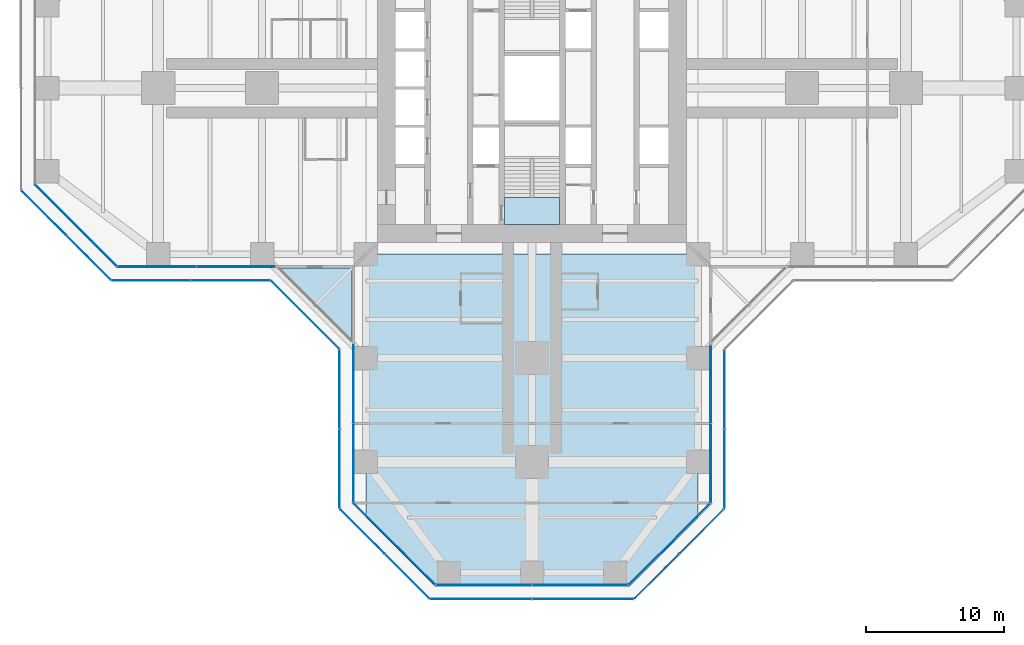
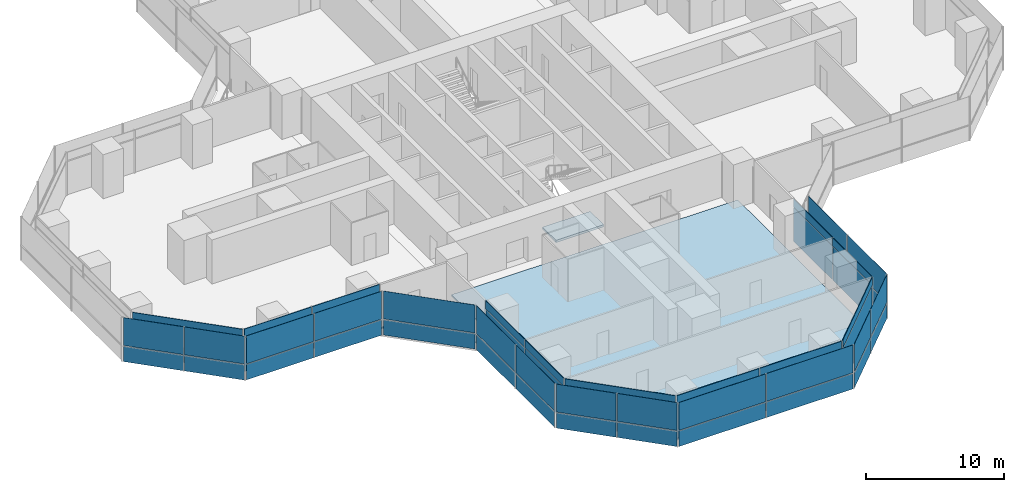
# One storey, part 14 of 22: 52 plates, 3 slabs, 16 elements without a shape of their own.
"""IFC4 building model written with IfcOpenShell, lengths in metres."""

from ifc_helpers import new_model, si_unit, direction, frame, origin, origin_2d, place, context, subcontext, project, spatial, polyline, rectangle, outline, extrude, material, layer, layer_set, type_object, element, aggregate, save


model = new_model("IFC4")

# Units and contexts
model_context = context("Model", 3, precision=1e-05, world=origin(), true_north=direction((0.0, 1.0)))
body_context = subcontext(model_context, "Body", "Model", "MODEL_VIEW")
ifc_project = project(units=[si_unit("LENGTHUNIT", "METRE"), si_unit("AREAUNIT", "SQUARE_METRE"), si_unit("VOLUMEUNIT", "CUBIC_METRE"), si_unit("PLANEANGLEUNIT", "RADIAN"), si_unit("MASSUNIT", "GRAM", prefix="KILO")], contexts=[model_context])

# Site, building, storey
site_placement = place(None, origin())
site = spatial("IfcSite", under=ifc_project, at=site_placement, CompositionType="ELEMENT")
building_placement = place(site_placement, origin())
building = spatial("IfcBuilding", under=site, at=building_placement, Name="Mizan Broadcast Tower", CompositionType="ELEMENT")
storey_placement = place(building_placement, frame((0.0, 0.0, 94.199951171875)))
storey = spatial("IfcBuildingStorey", under=building, at=storey_placement, Name="L20", CompositionType="ELEMENT", Elevation=94.199951171875)

# Slab
ifc_material_1 = material(Name="Concrete C32/40", Category="concrete")
ifc_layer_1 = layer(ifc_material_1, 0.1298828125)
ifc_layer_set_1 = layer_set([ifc_layer_1], Name="Concrete C32/40")
slab_type_1 = type_object("IfcSlabType", Name="COMPOSITE DECK SLAB 130", PredefinedType="FLOOR", material=ifc_layer_set_1)
slab_1_placement = place(storey_placement, frame((0.0, 0.0, -0.1298828125)))
element("IfcSlab", 1, at=slab_1_placement, inside=storey, type_object=slab_type_1, Name="Floor slab L20 south arm", PredefinedType="FLOOR", context=body_context, shape_type="SweptSolid", body=[
    extrude(outline(polyline([(7.0, -36.0), (12.0, -31.0), (12.0, -12.0), (-12.0, -12.0), (-12.0, -31.0), (-7.0, -36.0), (7.0, -36.0)])), origin(), (0.0, 0.0, 1.0), 0.1298828125),
])

# Curtain wall, plate
ifc_material_2 = material(Name="Aluminium framed glazing", Category="aluminium")
curtain_wall_type_1 = type_object("IfcCurtainWallType", Name="INNER SKIN LOW ZONE", PredefinedType="USERDEFINED", material=ifc_material_2)
curtain_wall_1_placement = place(storey_placement, origin())
curtain_wall_1 = element("IfcCurtainWall", 2, at=curtain_wall_1_placement, inside=storey, type_object=curtain_wall_type_1, Name="Inner skin low zone L20 W chamfer", ObjectType="INNER SKIN LOW ZONE", PredefinedType="USERDEFINED")
ifc_material_3 = material(Name="Double glazing, clear low-e", Category="glass")
ifc_layer_2 = layer(ifc_material_3, 0.028076171875)
ifc_layer_set_2 = layer_set([ifc_layer_2], Name="Double glazing, clear low-e")
plate_type_1 = type_object("IfcPlateType", Name="INNER SKIN GLAZING UNIT", PredefinedType="CURTAIN_PANEL", material=ifc_layer_set_2)
plate_1_placement = place(storey_placement, frame((-32.92919921875, -9.92919921875, 0.0), z_axis=(0.0, 0.0, 1.0), x_axis=(0.707106781187, -0.707106781187, 0.0)))
plate_1 = element("IfcPlate", 3, at=plate_1_placement, type_object=plate_type_1, Name="Inner skin low zone L20 W chamfer panel 1.1", PredefinedType="CURTAIN_PANEL", context=body_context, shape_type="SweptSolid", body=[
    extrude(rectangle(XDim=8.282470703125, YDim=0.028076171875, at=origin_2d()), origin(), (0.0, 0.0, 1.0), 3.0),
])

# Curtain wall, plates
curtain_wall_2_placement = place(storey_placement, origin())
curtain_wall_2 = element("IfcCurtainWall", 4, at=curtain_wall_2_placement, inside=storey, type_object=curtain_wall_type_1, Name="Inner skin low zone L20 W side", ObjectType="INNER SKIN LOW ZONE", PredefinedType="USERDEFINED")
plate_2_placement = place(storey_placement, frame((-27.078857421875, -12.89990234375, 0.0), z_axis=(0.0, 0.0, 1.0), x_axis=(1.0, 0.0, 0.0)))
plate_2 = element("IfcPlate", 5, at=plate_2_placement, type_object=plate_type_1, Name="Inner skin low zone L20 W side panel 1.1", PredefinedType="CURTAIN_PANEL", context=body_context, shape_type="SweptSolid", body=[
    extrude(rectangle(XDim=5.639404296875, YDim=0.028076171875, at=origin_2d()), origin(), (0.0, 0.0, 1.0), 3.0),
])
plate_3_placement = place(storey_placement, frame((-21.379638671875, -12.89990234375, 0.0), z_axis=(0.0, 0.0, 1.0), x_axis=(1.0, 0.0, 0.0)))
plate_3 = element("IfcPlate", 6, at=plate_3_placement, type_object=plate_type_1, Name="Inner skin low zone L20 W side panel 2.1", PredefinedType="CURTAIN_PANEL", context=body_context, shape_type="SweptSolid", body=[
    extrude(rectangle(XDim=5.639404296875, YDim=0.028076171875, at=origin_2d()), origin(), (0.0, 0.0, 1.0), 3.0),
])

curtain_wall_3_placement = place(storey_placement, origin())
curtain_wall_3 = element("IfcCurtainWall", 7, at=curtain_wall_3_placement, inside=storey, type_object=curtain_wall_type_1, Name="Inner skin low zone L20 S side", ObjectType="INNER SKIN LOW ZONE", PredefinedType="USERDEFINED")
plate_4_placement = place(storey_placement, frame((-12.89990234375, -21.379638671875, 0.0), z_axis=(0.0, 0.0, 1.0), x_axis=(0.0, -1.0, 0.0)))
plate_4 = element("IfcPlate", 8, at=plate_4_placement, type_object=plate_type_1, Name="Inner skin low zone L20 S side panel 1.1", PredefinedType="CURTAIN_PANEL", context=body_context, shape_type="SweptSolid", body=[
    extrude(rectangle(XDim=5.639404296875, YDim=0.028076171875, at=origin_2d()), origin(), (0.0, 0.0, 1.0), 3.0),
])
plate_5_placement = place(storey_placement, frame((-12.89990234375, -27.078857421875, 0.0), z_axis=(0.0, 0.0, 1.0), x_axis=(0.0, -1.0, 0.0)))
plate_5 = element("IfcPlate", 9, at=plate_5_placement, type_object=plate_type_1, Name="Inner skin low zone L20 S side panel 2.1", PredefinedType="CURTAIN_PANEL", context=body_context, shape_type="SweptSolid", body=[
    extrude(rectangle(XDim=5.639404296875, YDim=0.028076171875, at=origin_2d()), origin(), (0.0, 0.0, 1.0), 3.0),
])

# Curtain wall, plate
curtain_wall_4_placement = place(storey_placement, origin())
curtain_wall_4 = element("IfcCurtainWall", 10, at=curtain_wall_4_placement, inside=storey, type_object=curtain_wall_type_1, Name="Inner skin low zone L20 S chamfer", ObjectType="INNER SKIN LOW ZONE", PredefinedType="USERDEFINED")
plate_6_placement = place(storey_placement, frame((-9.92919921875, -32.92919921875, 0.0), z_axis=(0.0, 0.0, 1.0), x_axis=(0.707106781187, -0.707106781187, 0.0)))
plate_6 = element("IfcPlate", 11, at=plate_6_placement, type_object=plate_type_1, Name="Inner skin low zone L20 S chamfer panel 1.1", PredefinedType="CURTAIN_PANEL", context=body_context, shape_type="SweptSolid", body=[
    extrude(rectangle(XDim=8.282470703125, YDim=0.028076171875, at=origin_2d()), origin(), (0.0, 0.0, 1.0), 3.0),
])

# Curtain wall, plates
curtain_wall_5_placement = place(storey_placement, origin())
curtain_wall_5 = element("IfcCurtainWall", 12, at=curtain_wall_5_placement, inside=storey, type_object=curtain_wall_type_1, Name="Inner skin low zone L20 S end", ObjectType="INNER SKIN LOW ZONE", PredefinedType="USERDEFINED")
plate_7_placement = place(storey_placement, frame((-3.46435546875, -35.89990234375, 0.0), z_axis=(0.0, 0.0, 1.0), x_axis=(1.0, 0.0, 0.0)))
plate_7 = element("IfcPlate", 13, at=plate_7_placement, type_object=plate_type_1, Name="Inner skin low zone L20 S end panel 1.1", PredefinedType="CURTAIN_PANEL", context=body_context, shape_type="SweptSolid", body=[
    extrude(rectangle(XDim=6.86865234375, YDim=0.028076171875, at=origin_2d()), origin(), (0.0, 0.0, 1.0), 3.0),
])
plate_8_placement = place(storey_placement, frame((3.46435546875, -35.89990234375, 0.0), z_axis=(0.0, 0.0, 1.0), x_axis=(1.0, 0.0, 0.0)))
plate_8 = element("IfcPlate", 14, at=plate_8_placement, type_object=plate_type_1, Name="Inner skin low zone L20 S end panel 2.1", PredefinedType="CURTAIN_PANEL", context=body_context, shape_type="SweptSolid", body=[
    extrude(rectangle(XDim=6.86865234375, YDim=0.028076171875, at=origin_2d()), origin(), (0.0, 0.0, 1.0), 3.0),
])

# Curtain wall, plate
curtain_wall_6_placement = place(storey_placement, origin())
curtain_wall_6 = element("IfcCurtainWall", 15, at=curtain_wall_6_placement, inside=storey, type_object=curtain_wall_type_1, Name="Inner skin low zone L20 S chamfer", ObjectType="INNER SKIN LOW ZONE", PredefinedType="USERDEFINED")
plate_9_placement = place(storey_placement, frame((9.92919921875, -32.92919921875, 0.0), z_axis=(0.0, 0.0, 1.0), x_axis=(0.707106781187, 0.707106781187, 0.0)))
plate_9 = element("IfcPlate", 16, at=plate_9_placement, type_object=plate_type_1, Name="Inner skin low zone L20 S chamfer panel 1.1", PredefinedType="CURTAIN_PANEL", context=body_context, shape_type="SweptSolid", body=[
    extrude(rectangle(XDim=8.282470703125, YDim=0.028076171875, at=origin_2d()), origin(), (0.0, 0.0, 1.0), 3.0),
])

# Curtain wall, plates
curtain_wall_7_placement = place(storey_placement, origin())
curtain_wall_7 = element("IfcCurtainWall", 17, at=curtain_wall_7_placement, inside=storey, type_object=curtain_wall_type_1, Name="Inner skin low zone L20 S side", ObjectType="INNER SKIN LOW ZONE", PredefinedType="USERDEFINED")
plate_10_placement = place(storey_placement, frame((12.89990234375, -27.078857421875, 0.0), z_axis=(0.0, 0.0, 1.0), x_axis=(0.0, 1.0, 0.0)))
plate_10 = element("IfcPlate", 18, at=plate_10_placement, type_object=plate_type_1, Name="Inner skin low zone L20 S side panel 1.1", PredefinedType="CURTAIN_PANEL", context=body_context, shape_type="SweptSolid", body=[
    extrude(rectangle(XDim=5.639404296875, YDim=0.028076171875, at=origin_2d()), origin(), (0.0, 0.0, 1.0), 3.0),
])
plate_11_placement = place(storey_placement, frame((12.89990234375, -21.379638671875, 0.0), z_axis=(0.0, 0.0, 1.0), x_axis=(0.0, 1.0, 0.0)))
plate_11 = element("IfcPlate", 19, at=plate_11_placement, type_object=plate_type_1, Name="Inner skin low zone L20 S side panel 2.1", PredefinedType="CURTAIN_PANEL", context=body_context, shape_type="SweptSolid", body=[
    extrude(rectangle(XDim=5.639404296875, YDim=0.028076171875, at=origin_2d()), origin(), (0.0, 0.0, 1.0), 3.0),
])

# Plate
ifc_material_4 = material(Name="Insulated aluminium spandrel panel, pale anodised", Category="aluminium")
ifc_layer_3 = layer(ifc_material_4, 0.050048828125)
ifc_layer_set_3 = layer_set([ifc_layer_3], Name="Insulated aluminium spandrel panel, pale anodised")
plate_type_2 = type_object("IfcPlateType", Name="INNER SKIN SPANDREL PANEL", PredefinedType="CURTAIN_PANEL", material=ifc_layer_set_3)
plate_12_placement = place(storey_placement, frame((-32.92919921875, -9.92919921875, 3.06005859375), z_axis=(0.0, 0.0, 1.0), x_axis=(0.707106781187, -0.707106781187, 0.0)))
plate_12 = element("IfcPlate", 20, at=plate_12_placement, type_object=plate_type_2, Name="Inner skin low zone L20 W chamfer panel 1.2", PredefinedType="CURTAIN_PANEL", context=body_context, shape_type="SweptSolid", body=[
    extrude(rectangle(XDim=8.282470703125, YDim=0.050048828125, at=origin_2d()), origin(), (0.0, 0.0, 1.0), 0.7099609375),
])

aggregate(curtain_wall_1, [plate_1, plate_12])

plate_13_placement = place(storey_placement, frame((-27.078857421875, -12.89990234375, 3.06005859375), z_axis=(0.0, 0.0, 1.0), x_axis=(1.0, 0.0, 0.0)))
plate_13 = element("IfcPlate", 21, at=plate_13_placement, type_object=plate_type_2, Name="Inner skin low zone L20 W side panel 1.2", PredefinedType="CURTAIN_PANEL", context=body_context, shape_type="SweptSolid", body=[
    extrude(rectangle(XDim=5.639404296875, YDim=0.050048828125, at=origin_2d()), origin(), (0.0, 0.0, 1.0), 0.7099609375),
])

plate_14_placement = place(storey_placement, frame((-21.379638671875, -12.89990234375, 3.06005859375), z_axis=(0.0, 0.0, 1.0), x_axis=(1.0, 0.0, 0.0)))
plate_14 = element("IfcPlate", 22, at=plate_14_placement, type_object=plate_type_2, Name="Inner skin low zone L20 W side panel 2.2", PredefinedType="CURTAIN_PANEL", context=body_context, shape_type="SweptSolid", body=[
    extrude(rectangle(XDim=5.639404296875, YDim=0.050048828125, at=origin_2d()), origin(), (0.0, 0.0, 1.0), 0.7099609375),
])

aggregate(curtain_wall_2, [plate_2, plate_13, plate_3, plate_14])

plate_15_placement = place(storey_placement, frame((-12.89990234375, -21.379638671875, 3.06005859375), z_axis=(0.0, 0.0, 1.0), x_axis=(0.0, -1.0, 0.0)))
plate_15 = element("IfcPlate", 23, at=plate_15_placement, type_object=plate_type_2, Name="Inner skin low zone L20 S side panel 1.2", PredefinedType="CURTAIN_PANEL", context=body_context, shape_type="SweptSolid", body=[
    extrude(rectangle(XDim=5.639404296875, YDim=0.050048828125, at=origin_2d()), origin(), (0.0, 0.0, 1.0), 0.7099609375),
])

plate_16_placement = place(storey_placement, frame((-12.89990234375, -27.078857421875, 3.06005859375), z_axis=(0.0, 0.0, 1.0), x_axis=(0.0, -1.0, 0.0)))
plate_16 = element("IfcPlate", 24, at=plate_16_placement, type_object=plate_type_2, Name="Inner skin low zone L20 S side panel 2.2", PredefinedType="CURTAIN_PANEL", context=body_context, shape_type="SweptSolid", body=[
    extrude(rectangle(XDim=5.639404296875, YDim=0.050048828125, at=origin_2d()), origin(), (0.0, 0.0, 1.0), 0.7099609375),
])

aggregate(curtain_wall_3, [plate_4, plate_15, plate_5, plate_16])

plate_17_placement = place(storey_placement, frame((-9.92919921875, -32.92919921875, 3.06005859375), z_axis=(0.0, 0.0, 1.0), x_axis=(0.707106781187, -0.707106781187, 0.0)))
plate_17 = element("IfcPlate", 25, at=plate_17_placement, type_object=plate_type_2, Name="Inner skin low zone L20 S chamfer panel 1.2", PredefinedType="CURTAIN_PANEL", context=body_context, shape_type="SweptSolid", body=[
    extrude(rectangle(XDim=8.282470703125, YDim=0.050048828125, at=origin_2d()), origin(), (0.0, 0.0, 1.0), 0.7099609375),
])

aggregate(curtain_wall_4, [plate_6, plate_17])

plate_18_placement = place(storey_placement, frame((-3.46435546875, -35.89990234375, 3.06005859375), z_axis=(0.0, 0.0, 1.0), x_axis=(1.0, 0.0, 0.0)))
plate_18 = element("IfcPlate", 26, at=plate_18_placement, type_object=plate_type_2, Name="Inner skin low zone L20 S end panel 1.2", PredefinedType="CURTAIN_PANEL", context=body_context, shape_type="SweptSolid", body=[
    extrude(rectangle(XDim=6.86865234375, YDim=0.050048828125, at=origin_2d()), origin(), (0.0, 0.0, 1.0), 0.7099609375),
])

plate_19_placement = place(storey_placement, frame((3.46435546875, -35.89990234375, 3.06005859375), z_axis=(0.0, 0.0, 1.0), x_axis=(1.0, 0.0, 0.0)))
plate_19 = element("IfcPlate", 27, at=plate_19_placement, type_object=plate_type_2, Name="Inner skin low zone L20 S end panel 2.2", PredefinedType="CURTAIN_PANEL", context=body_context, shape_type="SweptSolid", body=[
    extrude(rectangle(XDim=6.86865234375, YDim=0.050048828125, at=origin_2d()), origin(), (0.0, 0.0, 1.0), 0.7099609375),
])

aggregate(curtain_wall_5, [plate_7, plate_18, plate_8, plate_19])

plate_20_placement = place(storey_placement, frame((9.92919921875, -32.92919921875, 3.06005859375), z_axis=(0.0, 0.0, 1.0), x_axis=(0.707106781187, 0.707106781187, 0.0)))
plate_20 = element("IfcPlate", 28, at=plate_20_placement, type_object=plate_type_2, Name="Inner skin low zone L20 S chamfer panel 1.2", PredefinedType="CURTAIN_PANEL", context=body_context, shape_type="SweptSolid", body=[
    extrude(rectangle(XDim=8.282470703125, YDim=0.050048828125, at=origin_2d()), origin(), (0.0, 0.0, 1.0), 0.7099609375),
])

aggregate(curtain_wall_6, [plate_9, plate_20])

plate_21_placement = place(storey_placement, frame((12.89990234375, -27.078857421875, 3.06005859375), z_axis=(0.0, 0.0, 1.0), x_axis=(0.0, 1.0, 0.0)))
plate_21 = element("IfcPlate", 29, at=plate_21_placement, type_object=plate_type_2, Name="Inner skin low zone L20 S side panel 1.2", PredefinedType="CURTAIN_PANEL", context=body_context, shape_type="SweptSolid", body=[
    extrude(rectangle(XDim=5.639404296875, YDim=0.050048828125, at=origin_2d()), origin(), (0.0, 0.0, 1.0), 0.7099609375),
])

plate_22_placement = place(storey_placement, frame((12.89990234375, -21.379638671875, 3.06005859375), z_axis=(0.0, 0.0, 1.0), x_axis=(0.0, 1.0, 0.0)))
plate_22 = element("IfcPlate", 30, at=plate_22_placement, type_object=plate_type_2, Name="Inner skin low zone L20 S side panel 2.2", PredefinedType="CURTAIN_PANEL", context=body_context, shape_type="SweptSolid", body=[
    extrude(rectangle(XDim=5.639404296875, YDim=0.050048828125, at=origin_2d()), origin(), (0.0, 0.0, 1.0), 0.7099609375),
])

aggregate(curtain_wall_7, [plate_10, plate_21, plate_11, plate_22])

# Curtain wall, plates
ifc_material_5 = material(Name="Aluminium framed glazing", Category="aluminium")
curtain_wall_type_2 = type_object("IfcCurtainWallType", Name="OUTER SKIN", PredefinedType="USERDEFINED", material=ifc_material_5)
curtain_wall_8_placement = place(storey_placement, origin())
curtain_wall_8 = element("IfcCurtainWall", 31, at=curtain_wall_8_placement, inside=storey, type_object=curtain_wall_type_2, Name="Outer skin L20 W chamfer", ObjectType="OUTER SKIN", PredefinedType="USERDEFINED")
ifc_material_6 = material(Name="Laminated clear glass", Category="glass")
ifc_layer_4 = layer(ifc_material_6, 0.02001953125)
ifc_layer_set_4 = layer_set([ifc_layer_4], Name="Laminated clear glass")
plate_type_3 = type_object("IfcPlateType", Name="OUTER SKIN CLEAR GLASS", PredefinedType="CURTAIN_PANEL", material=ifc_layer_set_4)
plate_23_placement = place(storey_placement, frame((-35.254150390625, -9.018798828125, 0.0), z_axis=(0.0, 0.0, 1.0), x_axis=(0.707106781187, -0.707106781187, 0.0)))
plate_23 = element("IfcPlate", 32, at=plate_23_placement, type_object=plate_type_3, Name="Outer skin L20 W chamfer panel 1.1", PredefinedType="CURTAIN_PANEL", context=body_context, shape_type="SweptSolid", body=[
    extrude(rectangle(XDim=4.495361328125, YDim=0.02001953125, at=origin_2d()), origin(), (0.0, 0.0, 1.0), 1.3701171875),
])
plate_24_placement = place(storey_placement, frame((-35.254150390625, -9.018798828125, 1.43017578125), z_axis=(0.0, 0.0, 1.0), x_axis=(0.707106781187, -0.707106781187, 0.0)))
plate_24 = element("IfcPlate", 33, at=plate_24_placement, type_object=plate_type_3, Name="Outer skin L20 W chamfer panel 1.2", PredefinedType="CURTAIN_PANEL", context=body_context, shape_type="SweptSolid", body=[
    extrude(rectangle(XDim=4.495361328125, YDim=0.02001953125, at=origin_2d()), origin(), (0.0, 0.0, 1.0), 2.469970703125),
])

curtain_wall_9_placement = place(storey_placement, origin())
curtain_wall_9 = element("IfcCurtainWall", 34, at=curtain_wall_9_placement, inside=storey, type_object=curtain_wall_type_2, Name="Outer skin L20 W side", ObjectType="OUTER SKIN", PredefinedType="USERDEFINED")
plate_25_placement = place(storey_placement, frame((-27.477783203125, -13.89990234375, 0.0), z_axis=(0.0, 0.0, 1.0), x_axis=(1.0, 0.0, 0.0)))
plate_25 = element("IfcPlate", 35, at=plate_25_placement, type_object=plate_type_3, Name="Outer skin L20 W side panel 1.1", PredefinedType="CURTAIN_PANEL", context=body_context, shape_type="SweptSolid", body=[
    extrude(rectangle(XDim=5.6298828125, YDim=0.02001953125, at=origin_2d()), origin(), (0.0, 0.0, 1.0), 1.3701171875),
])
plate_26_placement = place(storey_placement, frame((-27.477783203125, -13.89990234375, 1.43017578125), z_axis=(0.0, 0.0, 1.0), x_axis=(1.0, 0.0, 0.0)))
plate_26 = element("IfcPlate", 36, at=plate_26_placement, type_object=plate_type_3, Name="Outer skin L20 W side panel 1.2", PredefinedType="CURTAIN_PANEL", context=body_context, shape_type="SweptSolid", body=[
    extrude(rectangle(XDim=5.6298828125, YDim=0.02001953125, at=origin_2d()), origin(), (0.0, 0.0, 1.0), 2.469970703125),
])

curtain_wall_10_placement = place(storey_placement, origin())
curtain_wall_10 = element("IfcCurtainWall", 37, at=curtain_wall_10_placement, inside=storey, type_object=curtain_wall_type_2, Name="Outer skin L20 W chamfer", ObjectType="OUTER SKIN", PredefinedType="USERDEFINED")
plate_27_placement = place(storey_placement, frame((-16.386474609375, -16.386474609375, 0.0), z_axis=(0.0, 0.0, 1.0), x_axis=(0.707106781187, -0.707106781187, 0.0)))
plate_27 = element("IfcPlate", 38, at=plate_27_placement, type_object=plate_type_3, Name="Outer skin L20 W chamfer panel 1.1", PredefinedType="CURTAIN_PANEL", context=body_context, shape_type="SweptSolid", body=[
    extrude(rectangle(XDim=6.87255859375, YDim=0.02001953125, at=origin_2d()), origin(), (0.0, 0.0, 1.0), 1.3701171875),
])
plate_28_placement = place(storey_placement, frame((-16.386474609375, -16.386474609375, 1.43017578125), z_axis=(0.0, 0.0, 1.0), x_axis=(0.707106781187, -0.707106781187, 0.0)))
plate_28 = element("IfcPlate", 39, at=plate_28_placement, type_object=plate_type_3, Name="Outer skin L20 W chamfer panel 1.2", PredefinedType="CURTAIN_PANEL", context=body_context, shape_type="SweptSolid", body=[
    extrude(rectangle(XDim=6.87255859375, YDim=0.02001953125, at=origin_2d()), origin(), (0.0, 0.0, 1.0), 2.469970703125),
])
aggregate(curtain_wall_10, [plate_27, plate_28])

curtain_wall_11_placement = place(storey_placement, origin())
curtain_wall_11 = element("IfcCurtainWall", 40, at=curtain_wall_11_placement, inside=storey, type_object=curtain_wall_type_2, Name="Outer skin L20 S side", ObjectType="OUTER SKIN", PredefinedType="USERDEFINED")
plate_29_placement = place(storey_placement, frame((-13.89990234375, -21.767822265625, 0.0), z_axis=(0.0, 0.0, 1.0), x_axis=(0.0, -1.0, 0.0)))
plate_29 = element("IfcPlate", 41, at=plate_29_placement, type_object=plate_type_3, Name="Outer skin L20 S side panel 1.1", PredefinedType="CURTAIN_PANEL", context=body_context, shape_type="SweptSolid", body=[
    extrude(rectangle(XDim=5.6298828125, YDim=0.02001953125, at=origin_2d()), origin(), (0.0, 0.0, 1.0), 1.3701171875),
])
plate_30_placement = place(storey_placement, frame((-13.89990234375, -21.767822265625, 1.43017578125), z_axis=(0.0, 0.0, 1.0), x_axis=(0.0, -1.0, 0.0)))
plate_30 = element("IfcPlate", 42, at=plate_30_placement, type_object=plate_type_3, Name="Outer skin L20 S side panel 1.2", PredefinedType="CURTAIN_PANEL", context=body_context, shape_type="SweptSolid", body=[
    extrude(rectangle(XDim=5.6298828125, YDim=0.02001953125, at=origin_2d()), origin(), (0.0, 0.0, 1.0), 2.469970703125),
])

curtain_wall_12_placement = place(storey_placement, origin())
curtain_wall_12 = element("IfcCurtainWall", 43, at=curtain_wall_12_placement, inside=storey, type_object=curtain_wall_type_2, Name="Outer skin L20 S chamfer", ObjectType="OUTER SKIN", PredefinedType="USERDEFINED")
plate_31_placement = place(storey_placement, frame((-12.254150390625, -32.018798828125, 0.0), z_axis=(0.0, 0.0, 1.0), x_axis=(0.707106781187, -0.707106781187, 0.0)))
plate_31 = element("IfcPlate", 44, at=plate_31_placement, type_object=plate_type_3, Name="Outer skin L20 S chamfer panel 1.1", PredefinedType="CURTAIN_PANEL", context=body_context, shape_type="SweptSolid", body=[
    extrude(rectangle(XDim=4.495361328125, YDim=0.02001953125, at=origin_2d()), origin(), (0.0, 0.0, 1.0), 1.3701171875),
])
plate_32_placement = place(storey_placement, frame((-12.254150390625, -32.018798828125, 1.43017578125), z_axis=(0.0, 0.0, 1.0), x_axis=(0.707106781187, -0.707106781187, 0.0)))
plate_32 = element("IfcPlate", 45, at=plate_32_placement, type_object=plate_type_3, Name="Outer skin L20 S chamfer panel 1.2", PredefinedType="CURTAIN_PANEL", context=body_context, shape_type="SweptSolid", body=[
    extrude(rectangle(XDim=4.495361328125, YDim=0.02001953125, at=origin_2d()), origin(), (0.0, 0.0, 1.0), 2.469970703125),
])

curtain_wall_13_placement = place(storey_placement, origin())
curtain_wall_13 = element("IfcCurtainWall", 46, at=curtain_wall_13_placement, inside=storey, type_object=curtain_wall_type_2, Name="Outer skin L20 S end", ObjectType="OUTER SKIN", PredefinedType="USERDEFINED")
plate_33_placement = place(storey_placement, frame((-3.66650390625, -36.89990234375, 0.0), z_axis=(0.0, 0.0, 1.0), x_axis=(1.0, 0.0, 0.0)))
plate_33 = element("IfcPlate", 47, at=plate_33_placement, type_object=plate_type_3, Name="Outer skin L20 S end panel 1.1", PredefinedType="CURTAIN_PANEL", context=body_context, shape_type="SweptSolid", body=[
    extrude(rectangle(XDim=7.252685546875, YDim=0.02001953125, at=origin_2d()), origin(), (0.0, 0.0, 1.0), 1.3701171875),
])
plate_34_placement = place(storey_placement, frame((-3.66650390625, -36.89990234375, 1.43017578125), z_axis=(0.0, 0.0, 1.0), x_axis=(1.0, 0.0, 0.0)))
plate_34 = element("IfcPlate", 48, at=plate_34_placement, type_object=plate_type_3, Name="Outer skin L20 S end panel 1.2", PredefinedType="CURTAIN_PANEL", context=body_context, shape_type="SweptSolid", body=[
    extrude(rectangle(XDim=7.252685546875, YDim=0.02001953125, at=origin_2d()), origin(), (0.0, 0.0, 1.0), 2.469970703125),
])

curtain_wall_14_placement = place(storey_placement, origin())
curtain_wall_14 = element("IfcCurtainWall", 49, at=curtain_wall_14_placement, inside=storey, type_object=curtain_wall_type_2, Name="Outer skin L20 S chamfer", ObjectType="OUTER SKIN", PredefinedType="USERDEFINED")
plate_35_placement = place(storey_placement, frame((9.018798828125, -35.254150390625, 0.0), z_axis=(0.0, 0.0, 1.0), x_axis=(0.707106781187, 0.707106781187, 0.0)))
plate_35 = element("IfcPlate", 50, at=plate_35_placement, type_object=plate_type_3, Name="Outer skin L20 S chamfer panel 1.1", PredefinedType="CURTAIN_PANEL", context=body_context, shape_type="SweptSolid", body=[
    extrude(rectangle(XDim=4.495361328125, YDim=0.02001953125, at=origin_2d()), origin(), (0.0, 0.0, 1.0), 1.3701171875),
])
plate_36_placement = place(storey_placement, frame((9.018798828125, -35.254150390625, 1.43017578125), z_axis=(0.0, 0.0, 1.0), x_axis=(0.707106781187, 0.707106781187, 0.0)))
plate_36 = element("IfcPlate", 51, at=plate_36_placement, type_object=plate_type_3, Name="Outer skin L20 S chamfer panel 1.2", PredefinedType="CURTAIN_PANEL", context=body_context, shape_type="SweptSolid", body=[
    extrude(rectangle(XDim=4.495361328125, YDim=0.02001953125, at=origin_2d()), origin(), (0.0, 0.0, 1.0), 2.469970703125),
])

curtain_wall_15_placement = place(storey_placement, origin())
curtain_wall_15 = element("IfcCurtainWall", 52, at=curtain_wall_15_placement, inside=storey, type_object=curtain_wall_type_2, Name="Outer skin L20 S side", ObjectType="OUTER SKIN", PredefinedType="USERDEFINED")
plate_37_placement = place(storey_placement, frame((13.89990234375, -27.477783203125, 0.0), z_axis=(0.0, 0.0, 1.0), x_axis=(0.0, 1.0, 0.0)))
plate_37 = element("IfcPlate", 53, at=plate_37_placement, type_object=plate_type_3, Name="Outer skin L20 S side panel 1.1", PredefinedType="CURTAIN_PANEL", context=body_context, shape_type="SweptSolid", body=[
    extrude(rectangle(XDim=5.6298828125, YDim=0.02001953125, at=origin_2d()), origin(), (0.0, 0.0, 1.0), 1.3701171875),
])
plate_38_placement = place(storey_placement, frame((13.89990234375, -27.477783203125, 1.43017578125), z_axis=(0.0, 0.0, 1.0), x_axis=(0.0, 1.0, 0.0)))
plate_38 = element("IfcPlate", 54, at=plate_38_placement, type_object=plate_type_3, Name="Outer skin L20 S side panel 1.2", PredefinedType="CURTAIN_PANEL", context=body_context, shape_type="SweptSolid", body=[
    extrude(rectangle(XDim=5.6298828125, YDim=0.02001953125, at=origin_2d()), origin(), (0.0, 0.0, 1.0), 2.469970703125),
])

# Plate
ifc_material_7 = material(Name="Perforated aluminium, pale anodised", Category="aluminium")
ifc_layer_5 = layer(ifc_material_7, 0.011962890625)
ifc_layer_set_5 = layer_set([ifc_layer_5], Name="Perforated aluminium, pale anodised")
plate_type_4 = type_object("IfcPlateType", Name="OUTER SKIN PERFORATED SCREEN", PredefinedType="USERDEFINED", material=ifc_layer_set_5)
plate_39_placement = place(storey_placement, frame((-32.018798828125, -12.254150390625, 0.0), z_axis=(0.0, 0.0, 1.0), x_axis=(0.707106781187, -0.707106781187, 0.0)))
plate_39 = element("IfcPlate", 55, at=plate_39_placement, type_object=plate_type_4, Name="Outer skin L20 W chamfer panel 2.1", ObjectType="SCREEN", PredefinedType="USERDEFINED", context=body_context, shape_type="SweptSolid", body=[
    extrude(rectangle(XDim=4.495361328125, YDim=0.011962890625, at=origin_2d()), origin(), (0.0, 0.0, 1.0), 1.3701171875),
])

plate_40_placement = place(storey_placement, frame((-32.018798828125, -12.254150390625, 1.43017578125), z_axis=(0.0, 0.0, 1.0), x_axis=(0.707106781187, -0.707106781187, 0.0)))
plate_40 = element("IfcPlate", 56, at=plate_40_placement, type_object=plate_type_4, Name="Outer skin L20 W chamfer panel 2.2", ObjectType="SCREEN", PredefinedType="USERDEFINED", context=body_context, shape_type="SweptSolid", body=[
    extrude(rectangle(XDim=4.495361328125, YDim=0.011962890625, at=origin_2d()), origin(), (0.0, 0.0, 1.0), 2.469970703125),
])

aggregate(curtain_wall_8, [plate_23, plate_24, plate_39, plate_40])

plate_41_placement = place(storey_placement, frame((-21.767822265625, -13.89990234375, 0.0), z_axis=(0.0, 0.0, 1.0), x_axis=(1.0, 0.0, 0.0)))
plate_41 = element("IfcPlate", 57, at=plate_41_placement, type_object=plate_type_4, Name="Outer skin L20 W side panel 2.1", ObjectType="SCREEN", PredefinedType="USERDEFINED", context=body_context, shape_type="SweptSolid", body=[
    extrude(rectangle(XDim=5.6298828125, YDim=0.011962890625, at=origin_2d()), origin(), (0.0, 0.0, 1.0), 1.3701171875),
])

plate_42_placement = place(storey_placement, frame((-21.767822265625, -13.89990234375, 1.43017578125), z_axis=(0.0, 0.0, 1.0), x_axis=(1.0, 0.0, 0.0)))
plate_42 = element("IfcPlate", 58, at=plate_42_placement, type_object=plate_type_4, Name="Outer skin L20 W side panel 2.2", ObjectType="SCREEN", PredefinedType="USERDEFINED", context=body_context, shape_type="SweptSolid", body=[
    extrude(rectangle(XDim=5.6298828125, YDim=0.011962890625, at=origin_2d()), origin(), (0.0, 0.0, 1.0), 2.469970703125),
])

aggregate(curtain_wall_9, [plate_25, plate_26, plate_41, plate_42])

plate_43_placement = place(storey_placement, frame((-13.89990234375, -27.477783203125, 0.0), z_axis=(0.0, 0.0, 1.0), x_axis=(0.0, -1.0, 0.0)))
plate_43 = element("IfcPlate", 59, at=plate_43_placement, type_object=plate_type_4, Name="Outer skin L20 S side panel 2.1", ObjectType="SCREEN", PredefinedType="USERDEFINED", context=body_context, shape_type="SweptSolid", body=[
    extrude(rectangle(XDim=5.6298828125, YDim=0.011962890625, at=origin_2d()), origin(), (0.0, 0.0, 1.0), 1.3701171875),
])

plate_44_placement = place(storey_placement, frame((-13.89990234375, -27.477783203125, 1.43017578125), z_axis=(0.0, 0.0, 1.0), x_axis=(0.0, -1.0, 0.0)))
plate_44 = element("IfcPlate", 60, at=plate_44_placement, type_object=plate_type_4, Name="Outer skin L20 S side panel 2.2", ObjectType="SCREEN", PredefinedType="USERDEFINED", context=body_context, shape_type="SweptSolid", body=[
    extrude(rectangle(XDim=5.6298828125, YDim=0.011962890625, at=origin_2d()), origin(), (0.0, 0.0, 1.0), 2.469970703125),
])

aggregate(curtain_wall_11, [plate_29, plate_30, plate_43, plate_44])

plate_45_placement = place(storey_placement, frame((-9.018798828125, -35.254150390625, 0.0), z_axis=(0.0, 0.0, 1.0), x_axis=(0.707106781187, -0.707106781187, 0.0)))
plate_45 = element("IfcPlate", 61, at=plate_45_placement, type_object=plate_type_4, Name="Outer skin L20 S chamfer panel 2.1", ObjectType="SCREEN", PredefinedType="USERDEFINED", context=body_context, shape_type="SweptSolid", body=[
    extrude(rectangle(XDim=4.495361328125, YDim=0.011962890625, at=origin_2d()), origin(), (0.0, 0.0, 1.0), 1.3701171875),
])

plate_46_placement = place(storey_placement, frame((-9.018798828125, -35.254150390625, 1.43017578125), z_axis=(0.0, 0.0, 1.0), x_axis=(0.707106781187, -0.707106781187, 0.0)))
plate_46 = element("IfcPlate", 62, at=plate_46_placement, type_object=plate_type_4, Name="Outer skin L20 S chamfer panel 2.2", ObjectType="SCREEN", PredefinedType="USERDEFINED", context=body_context, shape_type="SweptSolid", body=[
    extrude(rectangle(XDim=4.495361328125, YDim=0.011962890625, at=origin_2d()), origin(), (0.0, 0.0, 1.0), 2.469970703125),
])

aggregate(curtain_wall_12, [plate_31, plate_32, plate_45, plate_46])

plate_47_placement = place(storey_placement, frame((3.66650390625, -36.89990234375, 0.0), z_axis=(0.0, 0.0, 1.0), x_axis=(1.0, 0.0, 0.0)))
plate_47 = element("IfcPlate", 63, at=plate_47_placement, type_object=plate_type_4, Name="Outer skin L20 S end panel 2.1", ObjectType="SCREEN", PredefinedType="USERDEFINED", context=body_context, shape_type="SweptSolid", body=[
    extrude(rectangle(XDim=7.252685546875, YDim=0.011962890625, at=origin_2d()), origin(), (0.0, 0.0, 1.0), 1.3701171875),
])

plate_48_placement = place(storey_placement, frame((3.66650390625, -36.89990234375, 1.43017578125), z_axis=(0.0, 0.0, 1.0), x_axis=(1.0, 0.0, 0.0)))
plate_48 = element("IfcPlate", 64, at=plate_48_placement, type_object=plate_type_4, Name="Outer skin L20 S end panel 2.2", ObjectType="SCREEN", PredefinedType="USERDEFINED", context=body_context, shape_type="SweptSolid", body=[
    extrude(rectangle(XDim=7.252685546875, YDim=0.011962890625, at=origin_2d()), origin(), (0.0, 0.0, 1.0), 2.469970703125),
])

aggregate(curtain_wall_13, [plate_33, plate_34, plate_47, plate_48])

plate_49_placement = place(storey_placement, frame((12.254150390625, -32.018798828125, 0.0), z_axis=(0.0, 0.0, 1.0), x_axis=(0.707106781187, 0.707106781187, 0.0)))
plate_49 = element("IfcPlate", 65, at=plate_49_placement, type_object=plate_type_4, Name="Outer skin L20 S chamfer panel 2.1", ObjectType="SCREEN", PredefinedType="USERDEFINED", context=body_context, shape_type="SweptSolid", body=[
    extrude(rectangle(XDim=4.495361328125, YDim=0.011962890625, at=origin_2d()), origin(), (0.0, 0.0, 1.0), 1.3701171875),
])

plate_50_placement = place(storey_placement, frame((12.254150390625, -32.018798828125, 1.43017578125), z_axis=(0.0, 0.0, 1.0), x_axis=(0.707106781187, 0.707106781187, 0.0)))
plate_50 = element("IfcPlate", 66, at=plate_50_placement, type_object=plate_type_4, Name="Outer skin L20 S chamfer panel 2.2", ObjectType="SCREEN", PredefinedType="USERDEFINED", context=body_context, shape_type="SweptSolid", body=[
    extrude(rectangle(XDim=4.495361328125, YDim=0.011962890625, at=origin_2d()), origin(), (0.0, 0.0, 1.0), 2.469970703125),
])

aggregate(curtain_wall_14, [plate_35, plate_36, plate_49, plate_50])

plate_51_placement = place(storey_placement, frame((13.89990234375, -21.767822265625, 0.0), z_axis=(0.0, 0.0, 1.0), x_axis=(0.0, 1.0, 0.0)))
plate_51 = element("IfcPlate", 67, at=plate_51_placement, type_object=plate_type_4, Name="Outer skin L20 S side panel 2.1", ObjectType="SCREEN", PredefinedType="USERDEFINED", context=body_context, shape_type="SweptSolid", body=[
    extrude(rectangle(XDim=5.6298828125, YDim=0.011962890625, at=origin_2d()), origin(), (0.0, 0.0, 1.0), 1.3701171875),
])

plate_52_placement = place(storey_placement, frame((13.89990234375, -21.767822265625, 1.43017578125), z_axis=(0.0, 0.0, 1.0), x_axis=(0.0, 1.0, 0.0)))
plate_52 = element("IfcPlate", 68, at=plate_52_placement, type_object=plate_type_4, Name="Outer skin L20 S side panel 2.2", ObjectType="SCREEN", PredefinedType="USERDEFINED", context=body_context, shape_type="SweptSolid", body=[
    extrude(rectangle(XDim=5.6298828125, YDim=0.011962890625, at=origin_2d()), origin(), (0.0, 0.0, 1.0), 2.469970703125),
])

aggregate(curtain_wall_15, [plate_37, plate_38, plate_51, plate_52])

# Stair, slab
ifc_material_8 = material(Name="Concrete C40/50", Category="concrete")
stair_type = type_object("IfcStairType", Name="EXIT STAIR", PredefinedType="HALF_TURN_STAIR", material=ifc_material_8)
stair_placement = place(storey_placement, origin())
stair = element("IfcStair", 69, at=stair_placement, inside=storey, type_object=stair_type, Name="Stair A L20", PredefinedType="HALF_TURN_STAIR")
ifc_material_9 = material(Name="Concrete C40/50", Category="concrete")
ifc_layer_6 = layer(ifc_material_9, 0.199951171875)
ifc_layer_set_6 = layer_set([ifc_layer_6], Name="Concrete C40/50")
slab_type_2 = type_object("IfcSlabType", Name="STAIR LANDING 200", PredefinedType="LANDING", material=ifc_layer_set_6)
slab_2_placement = place(storey_placement, frame((0.0, 0.0, -0.199951171875)))
slab_2 = element("IfcSlab", 70, at=slab_2_placement, type_object=slab_type_2, Name="A landing 1", PredefinedType="LANDING", context=body_context, shape_type="SweptSolid", body=[
    extrude(outline(polyline([(-2.0, -9.85009765625), (-2.0, -7.89990234375), (2.0, -7.89990234375), (2.0, -9.85009765625), (-2.0, -9.85009765625)])), origin(), (0.0, 0.0, 1.0), 0.199951171875),
])
aggregate(stair, [slab_2])

# Slab
ifc_material_10 = material(Name="Concrete C32/40", Category="concrete")
ifc_layer_7 = layer(ifc_material_10, 0.1298828125)
ifc_layer_set_7 = layer_set([ifc_layer_7], Name="Concrete C32/40")
slab_type_3 = type_object("IfcSlabType", Name="WINTER GARDEN SLAB 130", PredefinedType="FLOOR", material=ifc_layer_set_7)
slab_3_placement = place(storey_placement, frame((0.0, 0.0, -0.1298828125)))
element("IfcSlab", 71, at=slab_3_placement, inside=storey, type_object=slab_type_3, Name="Winter garden slab L20 W", PredefinedType="FLOOR", context=body_context, shape_type="SweptSolid", body=[
    extrude(outline(polyline([(-13.0, -13.0), (-18.5, -13.0), (-13.0, -18.5), (-13.0, -13.0)])), origin(), (0.0, 0.0, 1.0), 0.1298828125),
])

save(model, "model.ifc")
